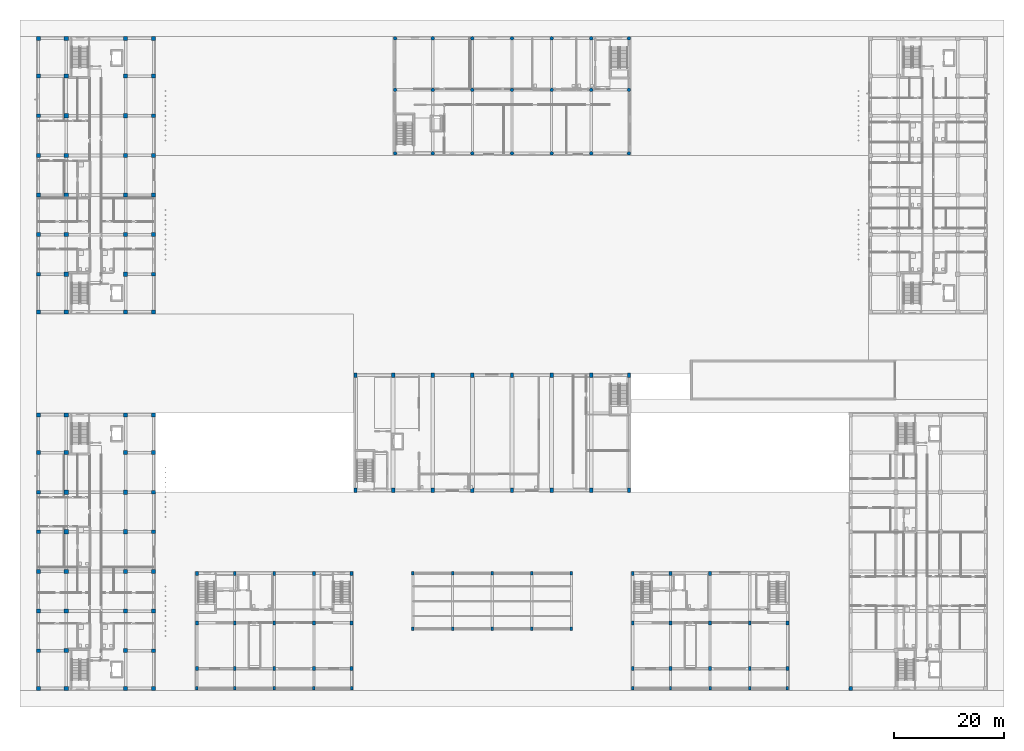
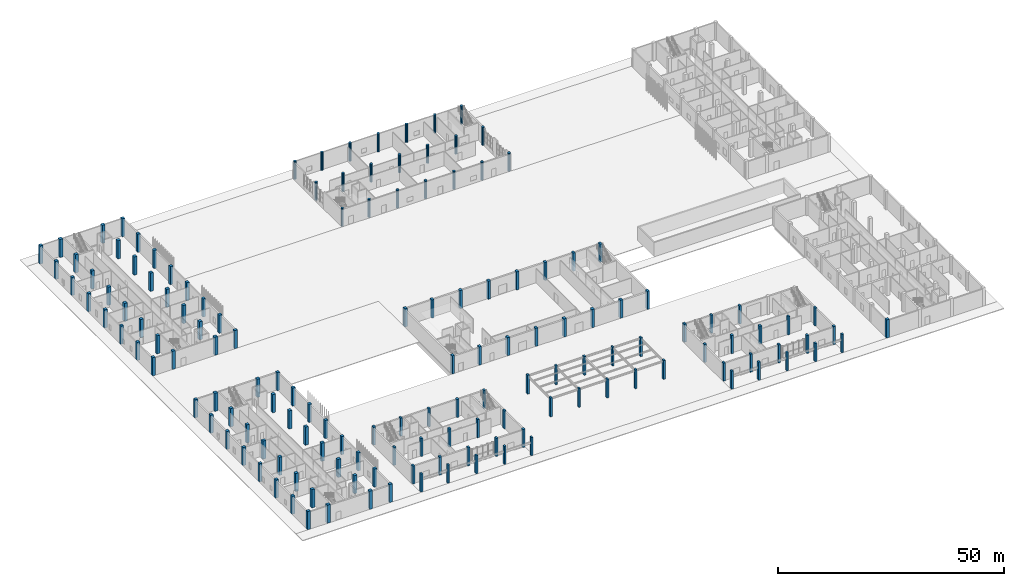
# One storey, part 1 of 85: 150 columns.
"""IFC4 building model written with IfcOpenShell, lengths in metres."""

import ifcopenshell
import ifcopenshell.guid

model = None  # the IFC model being written
_history = None  # IfcOwnerHistory: only IFC2X3 demands one
_inside = {}  # id of a spatial element -> (the spatial element, [elements in it])
_under = {}  # id of a project, library or spatial element -> (it, [spatial elements below it])
_declared = {}  # id of a project -> (the project, [libraries it declares])
_typed = {}  # id of a type object -> (the type object, [elements of that type])
_made_of = {}  # id of a material, layer set ... -> (it, [elements and type objects made of it])


def new_model(schema):
    """Start an empty IFC model of exactly this schema.

    Asked for "IFC4X3", IfcOpenShell would pick the latest addendum, in which some entities
    have other attributes; the version numbers below select the first issue.
    IFC2X3 requires an IfcOwnerHistory on every rooted entity: one is made here for all.
    """
    global model, _history
    if schema == "IFC4X3":
        model = ifcopenshell.file(schema_version=(4, 3, 0, 0))
    else:
        model = ifcopenshell.file(schema=schema)
    _inside.clear()
    _under.clear()
    _declared.clear()
    _typed.clear()
    _made_of.clear()
    _history = None
    if model.schema == "IFC2X3":
        org = make("IfcOrganization", Name="unknown")
        user = make(
            "IfcPersonAndOrganization",
            ThePerson=make("IfcPerson", FamilyName="unknown"),
            TheOrganization=org,
        )
        app = make(
            "IfcApplication",
            ApplicationDeveloper=org,
            Version="unknown",
            ApplicationFullName="unknown",
            ApplicationIdentifier="unknown",
        )
        _history = make(
            "IfcOwnerHistory",
            OwningUser=user,
            OwningApplication=app,
            ChangeAction="ADDED",
            CreationDate=0,
        )
    return model


def make(cls, **values):
    """One entity of the class cls with the attributes given. An attribute that is None is left unset."""
    return model.create_entity(
        cls, **{name: value for name, value in values.items() if value is not None}
    )


def rooted(cls, **values):
    """An entity with a GlobalId (a new one), such as an element, a storey or a relation."""
    return make(cls, GlobalId=ifcopenshell.guid.new(), OwnerHistory=_history, **values)


def si_unit(unit_type, name, prefix=None):
    """IfcSIUnit, for example si_unit("LENGTHUNIT", "METRE", prefix="MILLI")."""
    return make("IfcSIUnit", UnitType=unit_type, Prefix=prefix, Name=name)


def derived_unit(unit_type, elements):
    """IfcDerivedUnit: a product of units, each with its exponent."""
    return make(
        "IfcDerivedUnit",
        Elements=[
            make("IfcDerivedUnitElement", Unit=unit, Exponent=power)
            for unit, power in elements
        ],
        UnitType=unit_type,
    )


def assignment(units):
    """IfcUnitAssignment: the units of a project."""
    return None if units is None else make("IfcUnitAssignment", Units=units)


def point(xyz):
    """IfcCartesianPoint."""
    return None if xyz is None else make("IfcCartesianPoint", Coordinates=xyz)


def direction(xyz):
    """IfcDirection."""
    return None if xyz is None else make("IfcDirection", DirectionRatios=xyz)


def frame(location, z_axis=None, x_axis=None):
    """IfcAxis2Placement3D, a coordinate frame: its origin and axes. An axis left out is left unset."""
    return make(
        "IfcAxis2Placement3D",
        Location=point(location),
        Axis=direction(z_axis),
        RefDirection=direction(x_axis),
    )


def frame_2d(location, x_axis=None):
    """IfcAxis2Placement2D, a coordinate frame in the plane: its origin and x axis."""
    return make(
        "IfcAxis2Placement2D", Location=point(location), RefDirection=direction(x_axis)
    )


def origin():
    """The frame at (0, 0, 0) with its axes left unset."""
    return frame((0.0, 0.0, 0.0))


def origin_2d():
    """The frame at (0, 0) in the plane with its x axis left unset."""
    return frame_2d((0.0, 0.0))


def place(relative_to, where):
    """IfcLocalPlacement: puts the frame where relative to a parent placement (None: the world)."""
    return make(
        "IfcLocalPlacement", PlacementRelTo=relative_to, RelativePlacement=where
    )


def context(
    kind, dimensions, precision=None, world=None, true_north=None, identifier=None
):
    """IfcGeometricRepresentationContext, for example the 3D "Model" context."""
    return make(
        "IfcGeometricRepresentationContext",
        ContextIdentifier=identifier,
        ContextType=kind,
        CoordinateSpaceDimension=dimensions,
        Precision=precision,
        WorldCoordinateSystem=world,
        TrueNorth=true_north,
    )


def subcontext(parent, identifier, kind, view, scale=None):
    """IfcGeometricRepresentationSubContext, for example "Body" below "Model"."""
    return make(
        "IfcGeometricRepresentationSubContext",
        ContextIdentifier=identifier,
        ContextType=kind,
        ParentContext=parent,
        TargetScale=scale,
        TargetView=view,
    )


def project(units=None, contexts=None):
    """IfcProject with its units and contexts."""
    return rooted(
        "IfcProject",
        Name="project",
        RepresentationContexts=contexts,
        UnitsInContext=assignment(units),
    )


def spatial(cls, under=None, at=None, **own):
    """A site, building, storey or space (cls), placed at a placement, below another one or the project."""
    s = rooted(cls, ObjectPlacement=at, **own)
    if under is not None:
        _under.setdefault(under.id(), (under, []))[1].append(s)
    return s


def profile(cls, at=None, kind="AREA", **sizes):
    """A parametric profile (cls). Its sizes go by their IFC names, for example OverallWidth=200.0."""
    return make(cls, ProfileType=kind, Position=at, **sizes)


def rectangle(**sizes):
    """IfcRectangleProfileDef."""
    return profile("IfcRectangleProfileDef", **sizes)


def circle(**sizes):
    """IfcCircleProfileDef."""
    return profile("IfcCircleProfileDef", **sizes)


def extrude(swept, where, along, depth):
    """IfcExtrudedAreaSolid: the profile swept, set in the frame where, extruded along a direction by depth."""
    return make(
        "IfcExtrudedAreaSolid",
        SweptArea=swept,
        Position=where,
        ExtrudedDirection=direction(along),
        Depth=depth,
    )


def shape(context_of_items, identifier, shape_type, items):
    """IfcShapeRepresentation: the items that make up one representation, for example the "Body"."""
    return make(
        "IfcShapeRepresentation",
        ContextOfItems=context_of_items,
        RepresentationIdentifier=identifier,
        RepresentationType=shape_type,
        Items=items,
    )


def material(Name=None, Category=None):
    """IfcMaterial."""
    return make("IfcMaterial", Name=Name, Category=Category)


def material_profile(
    of_material, cross_section, Name=None, Category=None, Priority=None
):
    """IfcMaterialProfile: a cross section and its material."""
    return make(
        "IfcMaterialProfile",
        Name=Name,
        Material=of_material,
        Profile=cross_section,
        Priority=Priority,
        Category=Category,
    )


def profile_set(profiles, Name=None, composite=None):
    """IfcMaterialProfileSet."""
    return make(
        "IfcMaterialProfileSet",
        Name=Name,
        MaterialProfiles=profiles,
        CompositeProfile=composite,
    )


def made_of(thing, what):
    """Note that an element or type object is made of a material, layer set ...; save() writes the relation."""
    if what is not None:
        _made_of.setdefault(what.id(), (what, []))[1].append(thing)
    return thing


def type_object(cls, material=None, **own):
    """A type object (cls), such as IfcWallType, which elements share."""
    return made_of(rooted(cls, **own), material)


def element(
    cls,
    number,
    at=None,
    inside=None,
    cuts=None,
    type_object=None,
    material=None,
    context=None,
    identifier="Body",
    shape_type=None,
    held_by="IfcProductDefinitionShape",
    body=None,
    shapes=None,
    **own,
):
    """One element of the class cls, such as IfcWall. Its Tag is "e" and its number.

    at: its placement. inside: the storey or other place that contains it. cuts: it is an
    opening in that element (IfcRelVoidsElement). A single representation is given by context,
    identifier, shape_type and body (its items); several are given by shapes. held_by: the class
    of the entity that holds the representations. save() writes the other relations.
    """
    e = rooted(cls, Tag="e%d" % number, ObjectPlacement=at, **own)
    if body is not None:
        shapes = [shape(context, identifier, shape_type, body)]
    if shapes is not None:
        e.Representation = make(held_by, Representations=shapes)
    if inside is not None:
        _inside.setdefault(inside.id(), (inside, []))[1].append(e)
    if cuts is not None:
        rooted(
            "IfcRelVoidsElement", RelatingBuildingElement=cuts, RelatedOpeningElement=e
        )
    if type_object is not None:
        _typed.setdefault(type_object.id(), (type_object, []))[1].append(e)
    return made_of(e, material)


def aggregate(whole, parts):
    """IfcRelAggregates: a whole, such as a stair, and the parts it consists of."""
    return rooted("IfcRelAggregates", RelatingObject=whole, RelatedObjects=parts)


def save(model, path):
    """Write the relations noted so far, then the file.

    IfcRelAggregates (storeys below a building ...), IfcRelContainedInSpatialStructure (elements
    in a storey), IfcRelDefinesByType, IfcRelAssociatesMaterial and IfcRelDeclares: one each for
    every whole, place, type object, material and project.
    """
    for whole, parts in _under.values():
        aggregate(whole, parts)
    for where, things in _inside.values():
        rooted(
            "IfcRelContainedInSpatialStructure",
            RelatedElements=things,
            RelatingStructure=where,
        )
    for kind, things in _typed.values():
        rooted("IfcRelDefinesByType", RelatedObjects=things, RelatingType=kind)
    for what, things in _made_of.values():
        rooted("IfcRelAssociatesMaterial", RelatedObjects=things, RelatingMaterial=what)
    for by, libraries in _declared.values():
        rooted("IfcRelDeclares", RelatingContext=by, RelatedDefinitions=libraries)
    model.write(path)


model = new_model("IFC4")

# Units and contexts
model_context = context("Model", 3, precision=1e-05, world=origin(), true_north=direction((0.0, 1.0)))
body_context = subcontext(model_context, "Body", "Model", "MODEL_VIEW")
ifc_project = project(units=[si_unit("LENGTHUNIT", "METRE"), si_unit("AREAUNIT", "SQUARE_METRE"), si_unit("VOLUMEUNIT", "CUBIC_METRE"), si_unit("PLANEANGLEUNIT", "RADIAN"), si_unit("MASSUNIT", "GRAM", prefix="KILO"), derived_unit("THERMALTRANSMITTANCEUNIT", [(si_unit("MASSUNIT", "GRAM", prefix="KILO"), 1), (si_unit("TIMEUNIT", "SECOND"), -3), (si_unit("THERMODYNAMICTEMPERATUREUNIT", "KELVIN"), -1)])], contexts=[model_context])

# Site, building, storey
site_placement = place(None, origin())
site = spatial("IfcSite", under=ifc_project, at=site_placement, CompositionType="ELEMENT")
building_placement = place(site_placement, origin())
building = spatial("IfcBuilding", under=site, at=building_placement, Name="Ochrekiln Boulevard Commons", CompositionType="ELEMENT")
storey_placement = place(building_placement, origin())
storey = spatial("IfcBuildingStorey", under=building, at=storey_placement, Name="L00", CompositionType="ELEMENT", Elevation=0.0)

# Columns
ifc_material_1 = material(Name="Concrete C35/45", Category="concrete")
ifc_material_profile_1 = material_profile(ifc_material_1, rectangle(XDim=0.5, YDim=0.699951171875, at=origin_2d()), Name="RC-COL-500x700")
ifc_profile_set_1 = profile_set([ifc_material_profile_1], Name="Concrete C35/45")
column_type_1 = type_object("IfcColumnType", Name="COL-RC-500x700", PredefinedType="COLUMN", material=ifc_profile_set_1)
for number, where, z_axis, x_axis, name in (
    (1, (29.14990234375, 3.949951171875, 0.0), (0.0, 0.0, 1.0), (1.0, 0.0, 0.0), "West Boulevard Shops and Arcade L00 Column C-5070 (2)"),
    (2, (29.14990234375, 12.25, 0.0), (0.0, 0.0, 1.0), (1.0, 0.0, 0.0), "West Boulevard Shops and Arcade L00 Column C-5070 (3)"),
    (3, (29.14990234375, 21.25, 0.0), (0.0, 0.0, 1.0), (1.0, 0.0, 0.0), "West Boulevard Shops and Arcade L00 Column C-5070 (4)"),
    (4, (36.0, 3.949951171875, 0.0), (0.0, 0.0, 1.0), (1.0, 0.0, 0.0), "West Boulevard Shops and Arcade L00 Column C-5070 (6)"),
    (5, (36.0, 12.25, 0.0), (0.0, 0.0, 1.0), (1.0, 0.0, 0.0), "West Boulevard Shops and Arcade L00 Column C-5070 (7)"),
    (6, (36.0, 21.25, 0.0), (0.0, 0.0, 1.0), (1.0, 0.0, 0.0), "West Boulevard Shops and Arcade L00 Column C-5070 (8)"),
    (7, (43.199951171875, 3.949951171875, 0.0), (0.0, 0.0, 1.0), (1.0, 0.0, 0.0), "West Boulevard Shops and Arcade L00 Column C-5070 (10)"),
    (8, (43.199951171875, 12.25, 0.0), (0.0, 0.0, 1.0), (1.0, 0.0, 0.0), "West Boulevard Shops and Arcade L00 Column C-5070 (11)"),
    (9, (43.199951171875, 21.25, 0.0), (0.0, 0.0, 1.0), (1.0, 0.0, 0.0), "West Boulevard Shops and Arcade L00 Column C-5070 (12)"),
    (10, (50.39990234375, 3.949951171875, 0.0), (0.0, 0.0, 1.0), (1.0, 0.0, 0.0), "West Boulevard Shops and Arcade L00 Column C-5070 (14)"),
    (11, (50.39990234375, 12.25, 0.0), (0.0, 0.0, 1.0), (1.0, 0.0, 0.0), "West Boulevard Shops and Arcade L00 Column C-5070 (15)"),
    (12, (50.39990234375, 21.25, 0.0), (0.0, 0.0, 1.0), (1.0, 0.0, 0.0), "West Boulevard Shops and Arcade L00 Column C-5070 (16)"),
    (13, (57.25, 3.949951171875, 0.0), (0.0, 0.0, 1.0), (1.0, 0.0, 0.0), "West Boulevard Shops and Arcade L00 Column C-5070 (18)"),
    (14, (57.25, 12.25, 0.0), (0.0, 0.0, 1.0), (1.0, 0.0, 0.0), "West Boulevard Shops and Arcade L00 Column C-5070 (19)"),
    (15, (57.25, 21.25, 0.0), (0.0, 0.0, 1.0), (1.0, 0.0, 0.0), "West Boulevard Shops and Arcade L00 Column C-5070 (20)"),
    (16, (108.35009765625, 3.949951171875, 0.0), (0.0, 0.0, 1.0), (1.0, 0.0, 0.0), "East Boulevard Shops and Arcade L00 Column C-5070 (2)"),
    (17, (108.35009765625, 12.25, 0.0), (0.0, 0.0, 1.0), (1.0, 0.0, 0.0), "East Boulevard Shops and Arcade L00 Column C-5070 (3)"),
    (18, (108.35009765625, 21.25, 0.0), (0.0, 0.0, 1.0), (1.0, 0.0, 0.0), "East Boulevard Shops and Arcade L00 Column C-5070 (4)"),
    (19, (115.199951171875, 3.949951171875, 0.0), (0.0, 0.0, 1.0), (1.0, 0.0, 0.0), "East Boulevard Shops and Arcade L00 Column C-5070 (6)"),
    (20, (115.199951171875, 12.25, 0.0), (0.0, 0.0, 1.0), (1.0, 0.0, 0.0), "East Boulevard Shops and Arcade L00 Column C-5070 (7)"),
    (21, (115.199951171875, 21.25, 0.0), (0.0, 0.0, 1.0), (1.0, 0.0, 0.0), "East Boulevard Shops and Arcade L00 Column C-5070 (8)"),
    (22, (122.39990234375, 3.949951171875, 0.0), (0.0, 0.0, 1.0), (1.0, 0.0, 0.0), "East Boulevard Shops and Arcade L00 Column C-5070 (10)"),
    (23, (122.39990234375, 12.25, 0.0), (0.0, 0.0, 1.0), (1.0, 0.0, 0.0), "East Boulevard Shops and Arcade L00 Column C-5070 (11)"),
    (24, (122.39990234375, 21.25, 0.0), (0.0, 0.0, 1.0), (1.0, 0.0, 0.0), "East Boulevard Shops and Arcade L00 Column C-5070 (12)"),
    (25, (129.60009765625, 3.949951171875, 0.0), (0.0, 0.0, 1.0), (1.0, 0.0, 0.0), "East Boulevard Shops and Arcade L00 Column C-5070 (14)"),
    (26, (129.60009765625, 12.25, 0.0), (0.0, 0.0, 1.0), (1.0, 0.0, 0.0), "East Boulevard Shops and Arcade L00 Column C-5070 (15)"),
    (27, (136.449951171875, 3.949951171875, 0.0), (0.0, 0.0, 1.0), (1.0, 0.0, 0.0), "East Boulevard Shops and Arcade L00 Column C-5070 (18)"),
    (28, (136.449951171875, 12.25, 0.0), (0.0, 0.0, 1.0), (1.0, 0.0, 0.0), "East Boulevard Shops and Arcade L00 Column C-5070 (19)"),
):
    element("IfcColumn", number, at=place(storey_placement, frame(where, z_axis=z_axis, x_axis=x_axis)), inside=storey, type_object=column_type_1, Name=name, PredefinedType="COLUMN", context=body_context, shape_type="SweptSolid", body=[
        extrude(rectangle(XDim=0.5, YDim=0.699951171875, at=origin_2d()), origin(), (0.0, 0.0, 1.0), 4.89990234375),
    ])
ifc_material_2 = material(Name="Concrete C40/50", Category="concrete")
ifc_material_profile_2 = material_profile(ifc_material_2, rectangle(XDim=0.60009765625, YDim=0.800048828125, at=origin_2d()), Name="RC-COL-600x800")
ifc_profile_set_2 = profile_set([ifc_material_profile_2], Name="Concrete C40/50")
column_type_2 = type_object("IfcColumnType", Name="COL-RC-600x800", PredefinedType="COLUMN", material=ifc_profile_set_2)
for number, where, z_axis, x_axis, name in (
    (29, (57.949951171875, 36.35009765625, 0.0), (0.0, 0.0, 1.0), (1.0, 0.0, 0.0), "Community Hall L00 Column C-6080 (1)"),
    (30, (57.949951171875, 57.25, 0.0), (0.0, 0.0, 1.0), (1.0, 0.0, 0.0), "Community Hall L00 Column C-6080 (2)"),
    (31, (64.800048828125, 36.35009765625, 0.0), (0.0, 0.0, 1.0), (1.0, 0.0, 0.0), "Community Hall L00 Column C-6080 (3)"),
    (32, (64.800048828125, 57.25, 0.0), (0.0, 0.0, 1.0), (1.0, 0.0, 0.0), "Community Hall L00 Column C-6080 (4)"),
    (33, (72.0, 36.35009765625, 0.0), (0.0, 0.0, 1.0), (1.0, 0.0, 0.0), "Community Hall L00 Column C-6080 (5)"),
    (34, (72.0, 57.25, 0.0), (0.0, 0.0, 1.0), (1.0, 0.0, 0.0), "Community Hall L00 Column C-6080 (6)"),
    (35, (79.199951171875, 36.35009765625, 0.0), (0.0, 0.0, 1.0), (1.0, 0.0, 0.0), "Community Hall L00 Column C-6080 (7)"),
    (36, (79.199951171875, 57.25, 0.0), (0.0, 0.0, 1.0), (1.0, 0.0, 0.0), "Community Hall L00 Column C-6080 (8)"),
    (37, (86.39990234375, 36.35009765625, 0.0), (0.0, 0.0, 1.0), (1.0, 0.0, 0.0), "Community Hall L00 Column C-6080 (9)"),
    (38, (86.39990234375, 57.25, 0.0), (0.0, 0.0, 1.0), (1.0, 0.0, 0.0), "Community Hall L00 Column C-6080 (10)"),
    (39, (93.60009765625, 36.35009765625, 0.0), (0.0, 0.0, 1.0), (1.0, 0.0, 0.0), "Community Hall L00 Column C-6080 (11)"),
    (40, (93.60009765625, 57.25, 0.0), (0.0, 0.0, 1.0), (1.0, 0.0, 0.0), "Community Hall L00 Column C-6080 (12)"),
    (41, (100.800048828125, 36.35009765625, 0.0), (0.0, 0.0, 1.0), (1.0, 0.0, 0.0), "Community Hall L00 Column C-6080 (13)"),
    (42, (100.800048828125, 57.25, 0.0), (0.0, 0.0, 1.0), (1.0, 0.0, 0.0), "Community Hall L00 Column C-6080 (14)"),
    (43, (107.64990234375, 36.35009765625, 0.0), (0.0, 0.0, 1.0), (1.0, 0.0, 0.0), "Community Hall L00 Column C-6080 (15)"),
    (44, (107.64990234375, 57.25, 0.0), (0.0, 0.0, 1.0), (1.0, 0.0, 0.0), "Community Hall L00 Column C-6080 (16)"),
):
    element("IfcColumn", number, at=place(storey_placement, frame(where, z_axis=z_axis, x_axis=x_axis)), inside=storey, type_object=column_type_2, Name=name, PredefinedType="COLUMN", context=body_context, shape_type="SweptSolid", body=[
        extrude(rectangle(XDim=0.60009765625, YDim=0.800048828125, at=origin_2d()), origin(), (0.0, 0.0, 1.0), 4.89990234375),
    ])
ifc_material_profile_3 = material_profile(ifc_material_2, rectangle(XDim=0.699951171875, YDim=0.699951171875, at=origin_2d()), Name="RC-COL-700x700")
ifc_profile_set_3 = profile_set([ifc_material_profile_3], Name="Concrete C40/50")
column_type_3 = type_object("IfcColumnType", Name="COL-RC-700", PredefinedType="COLUMN", material=ifc_profile_set_3)
for number, where, z_axis, x_axis, name in (
    (45, (0.35009765625, 68.75, 0.0), (0.0, 0.0, 1.0), (1.0, 0.0, 0.0), "Block A L00 Column C-700 (1)"),
    (46, (0.35009765625, 75.60009765625, 0.0), (0.0, 0.0, 1.0), (1.0, 0.0, 0.0), "Block A L00 Column C-700 (2)"),
    (47, (0.35009765625, 82.800048828125, 0.0), (0.0, 0.0, 1.0), (1.0, 0.0, 0.0), "Block A L00 Column C-700 (3)"),
    (48, (0.35009765625, 90.0, 0.0), (0.0, 0.0, 1.0), (1.0, 0.0, 0.0), "Block A L00 Column C-700 (4)"),
    (49, (0.35009765625, 97.199951171875, 0.0), (0.0, 0.0, 1.0), (1.0, 0.0, 0.0), "Block A L00 Column C-700 (5)"),
    (50, (0.35009765625, 104.39990234375, 0.0), (0.0, 0.0, 1.0), (1.0, 0.0, 0.0), "Block A L00 Column C-700 (6)"),
    (51, (0.35009765625, 111.60009765625, 0.0), (0.0, 0.0, 1.0), (1.0, 0.0, 0.0), "Block A L00 Column C-700 (7)"),
    (52, (0.35009765625, 118.449951171875, 0.0), (0.0, 0.0, 1.0), (1.0, 0.0, 0.0), "Block A L00 Column C-700 (8)"),
    (53, (21.25, 68.75, 0.0), (0.0, 0.0, 1.0), (1.0, 0.0, 0.0), "Block A L00 Column C-700 (25)"),
    (54, (21.25, 75.60009765625, 0.0), (0.0, 0.0, 1.0), (1.0, 0.0, 0.0), "Block A L00 Column C-700 (26)"),
    (55, (21.25, 82.800048828125, 0.0), (0.0, 0.0, 1.0), (1.0, 0.0, 0.0), "Block A L00 Column C-700 (27)"),
    (56, (21.25, 90.0, 0.0), (0.0, 0.0, 1.0), (1.0, 0.0, 0.0), "Block A L00 Column C-700 (28)"),
    (57, (21.25, 97.199951171875, 0.0), (0.0, 0.0, 1.0), (1.0, 0.0, 0.0), "Block A L00 Column C-700 (29)"),
    (58, (21.25, 104.39990234375, 0.0), (0.0, 0.0, 1.0), (1.0, 0.0, 0.0), "Block A L00 Column C-700 (30)"),
    (59, (21.25, 111.60009765625, 0.0), (0.0, 0.0, 1.0), (1.0, 0.0, 0.0), "Block A L00 Column C-700 (31)"),
    (60, (21.25, 118.449951171875, 0.0), (0.0, 0.0, 1.0), (1.0, 0.0, 0.0), "Block A L00 Column C-700 (32)"),
    (61, (147.949951171875, 0.35009765625, 0.0), (0.0, 0.0, 1.0), (1.0, 0.0, 0.0), "Block C L00 Column C-700 (1)"),
    (62, (0.35009765625, 0.35009765625, 0.0), (0.0, 0.0, 1.0), (1.0, 0.0, 0.0), "Block D L00 Column C-700 (1)"),
    (63, (0.35009765625, 7.199951171875, 0.0), (0.0, 0.0, 1.0), (1.0, 0.0, 0.0), "Block D L00 Column C-700 (2)"),
    (64, (0.35009765625, 14.39990234375, 0.0), (0.0, 0.0, 1.0), (1.0, 0.0, 0.0), "Block D L00 Column C-700 (3)"),
    (65, (0.35009765625, 21.60009765625, 0.0), (0.0, 0.0, 1.0), (1.0, 0.0, 0.0), "Block D L00 Column C-700 (4)"),
    (66, (0.35009765625, 28.800048828125, 0.0), (0.0, 0.0, 1.0), (1.0, 0.0, 0.0), "Block D L00 Column C-700 (5)"),
    (67, (0.35009765625, 36.0, 0.0), (0.0, 0.0, 1.0), (1.0, 0.0, 0.0), "Block D L00 Column C-700 (6)"),
    (68, (0.35009765625, 43.199951171875, 0.0), (0.0, 0.0, 1.0), (1.0, 0.0, 0.0), "Block D L00 Column C-700 (7)"),
    (69, (0.35009765625, 50.050048828125, 0.0), (0.0, 0.0, 1.0), (1.0, 0.0, 0.0), "Block D L00 Column C-700 (8)"),
    (70, (21.25, 0.35009765625, 0.0), (0.0, 0.0, 1.0), (1.0, 0.0, 0.0), "Block D L00 Column C-700 (25)"),
    (71, (21.25, 7.199951171875, 0.0), (0.0, 0.0, 1.0), (1.0, 0.0, 0.0), "Block D L00 Column C-700 (26)"),
    (72, (21.25, 14.39990234375, 0.0), (0.0, 0.0, 1.0), (1.0, 0.0, 0.0), "Block D L00 Column C-700 (27)"),
    (73, (21.25, 21.60009765625, 0.0), (0.0, 0.0, 1.0), (1.0, 0.0, 0.0), "Block D L00 Column C-700 (28)"),
    (74, (21.25, 28.800048828125, 0.0), (0.0, 0.0, 1.0), (1.0, 0.0, 0.0), "Block D L00 Column C-700 (29)"),
    (75, (21.25, 36.0, 0.0), (0.0, 0.0, 1.0), (1.0, 0.0, 0.0), "Block D L00 Column C-700 (30)"),
    (76, (21.25, 43.199951171875, 0.0), (0.0, 0.0, 1.0), (1.0, 0.0, 0.0), "Block D L00 Column C-700 (31)"),
    (77, (21.25, 50.050048828125, 0.0), (0.0, 0.0, 1.0), (1.0, 0.0, 0.0), "Block D L00 Column C-700 (32)"),
):
    element("IfcColumn", number, at=place(storey_placement, frame(where, z_axis=z_axis, x_axis=x_axis)), inside=storey, type_object=column_type_3, Name=name, PredefinedType="COLUMN", context=body_context, shape_type="SweptSolid", body=[
        extrude(rectangle(XDim=0.699951171875, YDim=0.699951171875, at=origin_2d()), origin(), (0.0, 0.0, 1.0), 4.89990234375),
    ])
ifc_material_profile_4 = material_profile(ifc_material_2, rectangle(XDim=0.75, YDim=0.75, at=origin_2d()), Name="RC-COL-750x750")
ifc_profile_set_4 = profile_set([ifc_material_profile_4], Name="Concrete C40/50")
column_type_4 = type_object("IfcColumnType", Name="COL-RC-750", PredefinedType="COLUMN", material=ifc_profile_set_4)
for number, where, z_axis, x_axis, name in (
    (78, (5.39990234375, 68.75, 0.0), (0.0, 0.0, 1.0), (1.0, 0.0, 0.0), "Block A L00 Column C-750 (9)"),
    (79, (5.39990234375, 75.60009765625, 0.0), (0.0, 0.0, 1.0), (1.0, 0.0, 0.0), "Block A L00 Column C-750 (10)"),
    (80, (5.39990234375, 82.800048828125, 0.0), (0.0, 0.0, 1.0), (1.0, 0.0, 0.0), "Block A L00 Column C-750 (11)"),
    (81, (5.39990234375, 90.0, 0.0), (0.0, 0.0, 1.0), (1.0, 0.0, 0.0), "Block A L00 Column C-750 (12)"),
    (82, (5.39990234375, 97.199951171875, 0.0), (0.0, 0.0, 1.0), (1.0, 0.0, 0.0), "Block A L00 Column C-750 (13)"),
    (83, (5.39990234375, 104.39990234375, 0.0), (0.0, 0.0, 1.0), (1.0, 0.0, 0.0), "Block A L00 Column C-750 (14)"),
    (84, (5.39990234375, 111.60009765625, 0.0), (0.0, 0.0, 1.0), (1.0, 0.0, 0.0), "Block A L00 Column C-750 (15)"),
    (85, (5.39990234375, 118.449951171875, 0.0), (0.0, 0.0, 1.0), (1.0, 0.0, 0.0), "Block A L00 Column C-750 (16)"),
    (86, (16.199951171875, 68.75, 0.0), (0.0, 0.0, 1.0), (1.0, 0.0, 0.0), "Block A L00 Column C-750 (17)"),
    (87, (16.199951171875, 75.60009765625, 0.0), (0.0, 0.0, 1.0), (1.0, 0.0, 0.0), "Block A L00 Column C-750 (18)"),
    (88, (16.199951171875, 82.800048828125, 0.0), (0.0, 0.0, 1.0), (1.0, 0.0, 0.0), "Block A L00 Column C-750 (19)"),
    (89, (16.199951171875, 90.0, 0.0), (0.0, 0.0, 1.0), (1.0, 0.0, 0.0), "Block A L00 Column C-750 (20)"),
    (90, (16.199951171875, 97.199951171875, 0.0), (0.0, 0.0, 1.0), (1.0, 0.0, 0.0), "Block A L00 Column C-750 (21)"),
    (91, (16.199951171875, 104.39990234375, 0.0), (0.0, 0.0, 1.0), (1.0, 0.0, 0.0), "Block A L00 Column C-750 (22)"),
    (92, (16.199951171875, 111.60009765625, 0.0), (0.0, 0.0, 1.0), (1.0, 0.0, 0.0), "Block A L00 Column C-750 (23)"),
    (93, (16.199951171875, 118.449951171875, 0.0), (0.0, 0.0, 1.0), (1.0, 0.0, 0.0), "Block A L00 Column C-750 (24)"),
    (94, (5.39990234375, 0.35009765625, 0.0), (0.0, 0.0, 1.0), (1.0, 0.0, 0.0), "Block D L00 Column C-750 (9)"),
    (95, (5.39990234375, 7.199951171875, 0.0), (0.0, 0.0, 1.0), (1.0, 0.0, 0.0), "Block D L00 Column C-750 (10)"),
    (96, (5.39990234375, 14.39990234375, 0.0), (0.0, 0.0, 1.0), (1.0, 0.0, 0.0), "Block D L00 Column C-750 (11)"),
    (97, (5.39990234375, 21.60009765625, 0.0), (0.0, 0.0, 1.0), (1.0, 0.0, 0.0), "Block D L00 Column C-750 (12)"),
    (98, (5.39990234375, 28.800048828125, 0.0), (0.0, 0.0, 1.0), (1.0, 0.0, 0.0), "Block D L00 Column C-750 (13)"),
    (99, (5.39990234375, 36.0, 0.0), (0.0, 0.0, 1.0), (1.0, 0.0, 0.0), "Block D L00 Column C-750 (14)"),
    (100, (5.39990234375, 43.199951171875, 0.0), (0.0, 0.0, 1.0), (1.0, 0.0, 0.0), "Block D L00 Column C-750 (15)"),
    (101, (5.39990234375, 50.050048828125, 0.0), (0.0, 0.0, 1.0), (1.0, 0.0, 0.0), "Block D L00 Column C-750 (16)"),
    (102, (16.199951171875, 0.35009765625, 0.0), (0.0, 0.0, 1.0), (1.0, 0.0, 0.0), "Block D L00 Column C-750 (17)"),
    (103, (16.199951171875, 7.199951171875, 0.0), (0.0, 0.0, 1.0), (1.0, 0.0, 0.0), "Block D L00 Column C-750 (18)"),
    (104, (16.199951171875, 14.39990234375, 0.0), (0.0, 0.0, 1.0), (1.0, 0.0, 0.0), "Block D L00 Column C-750 (19)"),
    (105, (16.199951171875, 21.60009765625, 0.0), (0.0, 0.0, 1.0), (1.0, 0.0, 0.0), "Block D L00 Column C-750 (20)"),
    (106, (16.199951171875, 28.800048828125, 0.0), (0.0, 0.0, 1.0), (1.0, 0.0, 0.0), "Block D L00 Column C-750 (21)"),
    (107, (16.199951171875, 36.0, 0.0), (0.0, 0.0, 1.0), (1.0, 0.0, 0.0), "Block D L00 Column C-750 (22)"),
    (108, (16.199951171875, 43.199951171875, 0.0), (0.0, 0.0, 1.0), (1.0, 0.0, 0.0), "Block D L00 Column C-750 (23)"),
    (109, (16.199951171875, 50.050048828125, 0.0), (0.0, 0.0, 1.0), (1.0, 0.0, 0.0), "Block D L00 Column C-750 (24)"),
):
    element("IfcColumn", number, at=place(storey_placement, frame(where, z_axis=z_axis, x_axis=x_axis)), inside=storey, type_object=column_type_4, Name=name, PredefinedType="COLUMN", context=body_context, shape_type="SweptSolid", body=[
        extrude(rectangle(XDim=0.75, YDim=0.75, at=origin_2d()), origin(), (0.0, 0.0, 1.0), 4.89990234375),
    ])
ifc_material_profile_5 = material_profile(ifc_material_2, circle(Radius=0.324951171875, at=origin_2d()), Name="RC-COL-D650")
ifc_profile_set_5 = profile_set([ifc_material_profile_5], Name="Concrete C40/50")
column_type_5 = type_object("IfcColumnType", Name="COL-RC-D650", PredefinedType="COLUMN", material=ifc_profile_set_5)
for number, where, z_axis, x_axis, name in (
    (110, (65.14990234375, 97.550048828125, 0.0), (0.0, 0.0, 1.0), (1.0, 0.0, 0.0), "Nursery Pavilion L00 Column C-D650 (1)"),
    (111, (65.14990234375, 109.10009765625, 0.0), (0.0, 0.0, 1.0), (1.0, 0.0, 0.0), "Nursery Pavilion L00 Column C-D650 (2)"),
    (112, (65.14990234375, 118.449951171875, 0.0), (0.0, 0.0, 1.0), (1.0, 0.0, 0.0), "Nursery Pavilion L00 Column C-D650 (3)"),
    (113, (72.0, 97.550048828125, 0.0), (0.0, 0.0, 1.0), (1.0, 0.0, 0.0), "Nursery Pavilion L00 Column C-D650 (4)"),
    (114, (72.0, 109.10009765625, 0.0), (0.0, 0.0, 1.0), (1.0, 0.0, 0.0), "Nursery Pavilion L00 Column C-D650 (5)"),
    (115, (72.0, 118.449951171875, 0.0), (0.0, 0.0, 1.0), (1.0, 0.0, 0.0), "Nursery Pavilion L00 Column C-D650 (6)"),
    (116, (79.199951171875, 97.550048828125, 0.0), (0.0, 0.0, 1.0), (1.0, 0.0, 0.0), "Nursery Pavilion L00 Column C-D650 (7)"),
    (117, (79.199951171875, 109.10009765625, 0.0), (0.0, 0.0, 1.0), (1.0, 0.0, 0.0), "Nursery Pavilion L00 Column C-D650 (8)"),
    (118, (79.199951171875, 118.449951171875, 0.0), (0.0, 0.0, 1.0), (1.0, 0.0, 0.0), "Nursery Pavilion L00 Column C-D650 (9)"),
    (119, (86.39990234375, 97.550048828125, 0.0), (0.0, 0.0, 1.0), (1.0, 0.0, 0.0), "Nursery Pavilion L00 Column C-D650 (10)"),
    (120, (86.39990234375, 109.10009765625, 0.0), (0.0, 0.0, 1.0), (1.0, 0.0, 0.0), "Nursery Pavilion L00 Column C-D650 (11)"),
    (121, (86.39990234375, 118.449951171875, 0.0), (0.0, 0.0, 1.0), (1.0, 0.0, 0.0), "Nursery Pavilion L00 Column C-D650 (12)"),
    (122, (93.60009765625, 97.550048828125, 0.0), (0.0, 0.0, 1.0), (1.0, 0.0, 0.0), "Nursery Pavilion L00 Column C-D650 (13)"),
    (123, (93.60009765625, 109.10009765625, 0.0), (0.0, 0.0, 1.0), (1.0, 0.0, 0.0), "Nursery Pavilion L00 Column C-D650 (14)"),
    (124, (93.60009765625, 118.449951171875, 0.0), (0.0, 0.0, 1.0), (1.0, 0.0, 0.0), "Nursery Pavilion L00 Column C-D650 (15)"),
    (125, (100.800048828125, 97.550048828125, 0.0), (0.0, 0.0, 1.0), (1.0, 0.0, 0.0), "Nursery Pavilion L00 Column C-D650 (16)"),
    (126, (100.800048828125, 109.10009765625, 0.0), (0.0, 0.0, 1.0), (1.0, 0.0, 0.0), "Nursery Pavilion L00 Column C-D650 (17)"),
    (127, (100.800048828125, 118.449951171875, 0.0), (0.0, 0.0, 1.0), (1.0, 0.0, 0.0), "Nursery Pavilion L00 Column C-D650 (18)"),
    (128, (107.64990234375, 97.550048828125, 0.0), (0.0, 0.0, 1.0), (1.0, 0.0, 0.0), "Nursery Pavilion L00 Column C-D650 (19)"),
    (129, (107.64990234375, 109.10009765625, 0.0), (0.0, 0.0, 1.0), (1.0, 0.0, 0.0), "Nursery Pavilion L00 Column C-D650 (20)"),
    (130, (107.64990234375, 118.449951171875, 0.0), (0.0, 0.0, 1.0), (1.0, 0.0, 0.0), "Nursery Pavilion L00 Column C-D650 (21)"),
):
    element("IfcColumn", number, at=place(storey_placement, frame(where, z_axis=z_axis, x_axis=x_axis)), inside=storey, type_object=column_type_5, Name=name, PredefinedType="COLUMN", context=body_context, shape_type="SweptSolid", body=[
        extrude(circle(Radius=0.324951171875, at=origin_2d()), origin(), (0.0, 0.0, 1.0), 4.89990234375),
    ])
ifc_material_profile_6 = material_profile(ifc_material_2, rectangle(XDim=0.449951171875, YDim=0.64990234375, at=origin_2d()), Name="RC-PIL-450x650")
ifc_profile_set_6 = profile_set([ifc_material_profile_6], Name="Concrete C40/50")
column_type_6 = type_object("IfcColumnType", Name="PIL-RC-450x650", PredefinedType="PILASTER", material=ifc_profile_set_6)
for number, where, z_axis, x_axis, name in (
    (131, (29.14990234375, 0.35009765625, 0.0), (0.0, 0.0, 1.0), (1.0, 0.0, 0.0), "West Boulevard Shops and Arcade L00 Column PL-4565 (1)"),
    (132, (36.0, 0.35009765625, 0.0), (0.0, 0.0, 1.0), (1.0, 0.0, 0.0), "West Boulevard Shops and Arcade L00 Column PL-4565 (5)"),
    (133, (43.199951171875, 0.35009765625, 0.0), (0.0, 0.0, 1.0), (1.0, 0.0, 0.0), "West Boulevard Shops and Arcade L00 Column PL-4565 (9)"),
    (134, (50.39990234375, 0.35009765625, 0.0), (0.0, 0.0, 1.0), (1.0, 0.0, 0.0), "West Boulevard Shops and Arcade L00 Column PL-4565 (13)"),
    (135, (57.25, 0.35009765625, 0.0), (0.0, 0.0, 1.0), (1.0, 0.0, 0.0), "West Boulevard Shops and Arcade L00 Column PL-4565 (17)"),
    (136, (108.35009765625, 0.35009765625, 0.0), (0.0, 0.0, 1.0), (1.0, 0.0, 0.0), "East Boulevard Shops and Arcade L00 Column PL-4565 (1)"),
    (137, (115.199951171875, 0.35009765625, 0.0), (0.0, 0.0, 1.0), (1.0, 0.0, 0.0), "East Boulevard Shops and Arcade L00 Column PL-4565 (5)"),
    (138, (122.39990234375, 0.35009765625, 0.0), (0.0, 0.0, 1.0), (1.0, 0.0, 0.0), "East Boulevard Shops and Arcade L00 Column PL-4565 (9)"),
    (139, (129.60009765625, 0.35009765625, 0.0), (0.0, 0.0, 1.0), (1.0, 0.0, 0.0), "East Boulevard Shops and Arcade L00 Column PL-4565 (13)"),
    (140, (136.449951171875, 0.35009765625, 0.0), (0.0, 0.0, 1.0), (1.0, 0.0, 0.0), "East Boulevard Shops and Arcade L00 Column PL-4565 (17)"),
):
    element("IfcColumn", number, at=place(storey_placement, frame(where, z_axis=z_axis, x_axis=x_axis)), inside=storey, type_object=column_type_6, Name=name, PredefinedType="PILASTER", context=body_context, shape_type="SweptSolid", body=[
        extrude(rectangle(XDim=0.449951171875, YDim=0.64990234375, at=origin_2d()), origin(), (0.0, 0.0, 1.0), 4.89990234375),
    ])
for number, where, z_axis, x_axis, name in (
    (141, (68.39990234375, 11.14990234375, 0.0), (0.0, 0.0, 1.0), (1.0, 0.0, 0.0), "Forecourt Canopy L00 Column PL-4565 (1)"),
    (142, (68.39990234375, 21.25, 0.0), (0.0, 0.0, 1.0), (1.0, 0.0, 0.0), "Forecourt Canopy L00 Column PL-4565 (2)"),
    (143, (75.60009765625, 11.14990234375, 0.0), (0.0, 0.0, 1.0), (1.0, 0.0, 0.0), "Forecourt Canopy L00 Column PL-4565 (3)"),
    (144, (75.60009765625, 21.25, 0.0), (0.0, 0.0, 1.0), (1.0, 0.0, 0.0), "Forecourt Canopy L00 Column PL-4565 (4)"),
    (145, (82.800048828125, 11.14990234375, 0.0), (0.0, 0.0, 1.0), (1.0, 0.0, 0.0), "Forecourt Canopy L00 Column PL-4565 (5)"),
    (146, (82.800048828125, 21.25, 0.0), (0.0, 0.0, 1.0), (1.0, 0.0, 0.0), "Forecourt Canopy L00 Column PL-4565 (6)"),
    (147, (90.0, 11.14990234375, 0.0), (0.0, 0.0, 1.0), (1.0, 0.0, 0.0), "Forecourt Canopy L00 Column PL-4565 (7)"),
    (148, (90.0, 21.25, 0.0), (0.0, 0.0, 1.0), (1.0, 0.0, 0.0), "Forecourt Canopy L00 Column PL-4565 (8)"),
    (149, (97.199951171875, 11.14990234375, 0.0), (0.0, 0.0, 1.0), (1.0, 0.0, 0.0), "Forecourt Canopy L00 Column PL-4565 (9)"),
    (150, (97.199951171875, 21.25, 0.0), (0.0, 0.0, 1.0), (1.0, 0.0, 0.0), "Forecourt Canopy L00 Column PL-4565 (10)"),
):
    element("IfcColumn", number, at=place(storey_placement, frame(where, z_axis=z_axis, x_axis=x_axis)), inside=storey, type_object=column_type_6, Name=name, PredefinedType="PILASTER", context=body_context, shape_type="SweptSolid", body=[
        extrude(rectangle(XDim=0.449951171875, YDim=0.64990234375, at=origin_2d()), origin(), (0.0, 0.0, 1.0), 5.10009765625),
    ])

save(model, "model.ifc")
